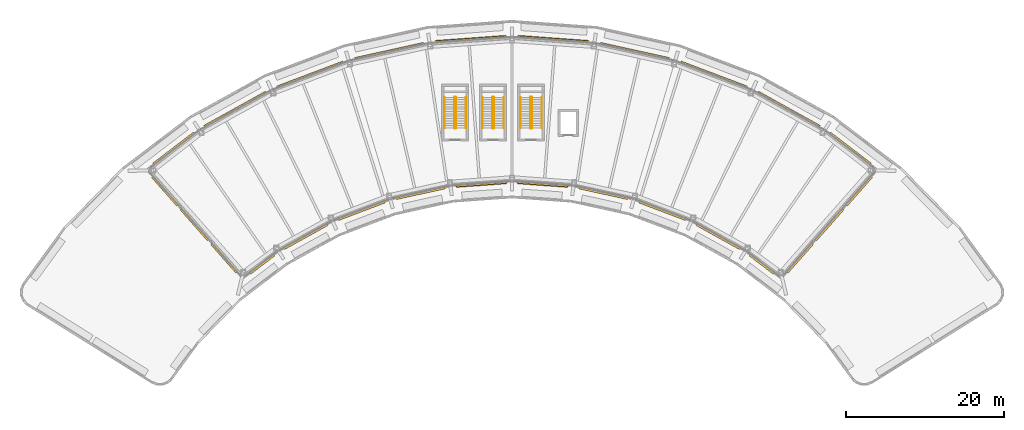
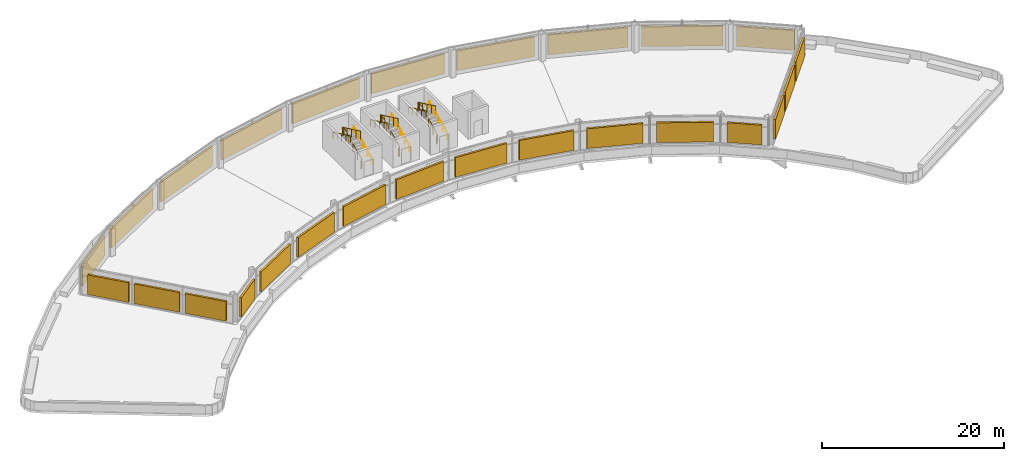
# One storey, part 16 of 17: 26 shading devices, 9 railings.
"""IFC4 building model written with IfcOpenShell, lengths in metres."""

from ifc_helpers import new_model, si_unit, direction, frame, origin, origin_2d, place, context, subcontext, project, spatial, rectangle, circle, extrude, material, type_object, element, save


model = new_model("IFC4")

# Units and contexts
model_context = context("Model", 3, precision=1e-05, world=origin(), true_north=direction((0.0, 1.0)))
body_context = subcontext(model_context, "Body", "Model", "MODEL_VIEW")
ifc_project = project(units=[si_unit("LENGTHUNIT", "METRE"), si_unit("AREAUNIT", "SQUARE_METRE"), si_unit("VOLUMEUNIT", "CUBIC_METRE"), si_unit("PLANEANGLEUNIT", "RADIAN"), si_unit("MASSUNIT", "GRAM", prefix="KILO")], contexts=[model_context])

# Site, building, storey
site_placement = place(None, origin())
site = spatial("IfcSite", under=ifc_project, at=site_placement, CompositionType="ELEMENT")
building_placement = place(site_placement, origin())
building = spatial("IfcBuilding", under=site, at=building_placement, Name="Tuul Gate Civic Tower", CompositionType="ELEMENT")
storey_placement = place(building_placement, frame((0.0, 0.0, 360.10009765625)))
storey = spatial("IfcBuildingStorey", under=building, at=storey_placement, Name="Crown tier 1 lower", CompositionType="ELEMENT", Elevation=360.10009765625)

# Shading devices
ifc_material_1 = material(Name="Aluminium louvre", Category="aluminium")
shading_device_type = type_object("IfcShadingDeviceType", Name="Louvre panel", PredefinedType="USERDEFINED", material=ifc_material_1)
shading_device_1_placement = place(storey_placement, frame((44.9931640625, -1.81201171875, 0.300048828125), z_axis=(0.0, 0.0, 1.0), x_axis=(0.605782498172, 0.795630294112, 0.0)))
element("IfcShadingDevice", 1, at=shading_device_1_placement, inside=storey, type_object=shading_device_type, Name="Louvre panel", ObjectType="LOUVRE", PredefinedType="USERDEFINED", context=body_context, shape_type="SweptSolid", body=[
    extrude(rectangle(XDim=0.25, YDim=6.449951171875, at=origin_2d()), origin(), (0.0, 0.0, 1.0), 2.64990234375),
])
for number, where, z_axis, x_axis, name in (
    (2, (37.234130859375, 3.147216796875, 0.300048828125), (0.0, 0.0, 1.0), (0.484806132848, 0.874621640227, 0.0), "Louvre panel"),
    (3, (27.7578125, 7.537353515625, 0.300048828125), (0.0, 0.0, 1.0), (0.353690785552, 0.935362404748, 0.0), "Louvre panel"),
    (4, (17.748291015625, 10.51611328125, 0.300048828125), (0.0, 0.0, 1.0), (0.215268775226, 0.976554839429, 0.0), "Louvre panel"),
    (5, (7.4140625, 12.021240234375, 0.300048828125), (0.0, 0.0, 1.0), (0.072225988978, 0.997388292751, 0.0), "Louvre panel"),
    (6, (-3.030029296875, 12.021240234375, 0.300048828125), (0.0, 0.0, 1.0), (-0.072225988978, 0.997388292751, 0.0), "Louvre panel"),
    (7, (-13.364501953125, 10.51611328125, 0.300048828125), (0.0, 0.0, 1.0), (-0.215268775226, 0.976554839429, 0.0), "Louvre panel"),
    (8, (-23.373779296875, 7.537353515625, 0.300048828125), (0.0, 0.0, 1.0), (-0.353690785552, 0.935362404748, 0.0), "Louvre panel"),
    (9, (-32.85009765625, 3.147216796875, 0.300048828125), (0.0, 0.0, 1.0), (-0.484806132848, 0.874621640227, 0.0), "Louvre panel"),
):
    element("IfcShadingDevice", number, at=place(storey_placement, frame(where, z_axis=z_axis, x_axis=x_axis)), inside=storey, type_object=shading_device_type, Name=name, ObjectType="LOUVRE", PredefinedType="USERDEFINED", context=body_context, shape_type="SweptSolid", body=[
        extrude(rectangle(XDim=0.25, YDim=8.949951171875, at=origin_2d()), origin(), (0.0, 0.0, 1.0), 2.64990234375),
    ])
shading_device_2_placement = place(storey_placement, frame((-40.609130859375, -1.81201171875, 0.300048828125), z_axis=(0.0, 0.0, 1.0), x_axis=(-0.605782498172, 0.795630294112, 0.0)))
element("IfcShadingDevice", 10, at=shading_device_2_placement, inside=storey, type_object=shading_device_type, Name="Louvre panel", ObjectType="LOUVRE", PredefinedType="USERDEFINED", context=body_context, shape_type="SweptSolid", body=[
    extrude(rectangle(XDim=0.25, YDim=6.449951171875, at=origin_2d()), origin(), (0.0, 0.0, 1.0), 2.64990234375),
])
shading_device_3_placement = place(storey_placement, frame((-41.747802734375, -7.220458984375, 0.300048828125), z_axis=(0.0, 0.0, 1.0), x_axis=(-0.749793201681, -0.661672241153, 0.0)))
element("IfcShadingDevice", 11, at=shading_device_3_placement, inside=storey, type_object=shading_device_type, Name="Louvre panel", ObjectType="LOUVRE", PredefinedType="USERDEFINED", context=body_context, shape_type="SweptSolid", body=[
    extrude(rectangle(XDim=0.25, YDim=4.800048828125, at=origin_2d()), origin(), (0.0, 0.0, 1.0), 2.64990234375),
])
shading_device_4_placement = place(storey_placement, frame((-38.004638671875, -11.462158203125, 0.300048828125), z_axis=(0.0, 0.0, 1.0), x_axis=(-0.749793201681, -0.661672241153, 0.0)))
element("IfcShadingDevice", 12, at=shading_device_4_placement, inside=storey, type_object=shading_device_type, Name="Louvre panel", ObjectType="LOUVRE", PredefinedType="USERDEFINED", context=body_context, shape_type="SweptSolid", body=[
    extrude(rectangle(XDim=0.25, YDim=5.25, at=origin_2d()), origin(), (0.0, 0.0, 1.0), 2.64990234375),
])
shading_device_5_placement = place(storey_placement, frame((-34.26171875, -15.703857421875, 0.300048828125), z_axis=(0.0, 0.0, 1.0), x_axis=(-0.749793201681, -0.661672241153, 0.0)))
element("IfcShadingDevice", 13, at=shading_device_5_placement, inside=storey, type_object=shading_device_type, Name="Louvre panel", ObjectType="LOUVRE", PredefinedType="USERDEFINED", context=body_context, shape_type="SweptSolid", body=[
    extrude(rectangle(XDim=0.25, YDim=4.800048828125, at=origin_2d()), origin(), (0.0, 0.0, 1.0), 2.64990234375),
])
shading_device_6_placement = place(storey_placement, frame((-29.44921875, -16.50439453125, 0.300048828125), z_axis=(0.0, 0.0, 1.0), x_axis=(0.605752057949, -0.79565346998, 0.0)))
element("IfcShadingDevice", 14, at=shading_device_6_placement, inside=storey, type_object=shading_device_type, Name="Louvre panel", ObjectType="LOUVRE", PredefinedType="USERDEFINED", context=body_context, shape_type="SweptSolid", body=[
    extrude(rectangle(XDim=0.25, YDim=3.85009765625, at=origin_2d()), origin(), (0.0, 0.0, 1.0), 2.64990234375),
])
for number, where, z_axis, x_axis, name in (
    (15, (-23.905517578125, -12.98974609375, 0.300048828125), (0.0, 0.0, 1.0), (0.484784498431, -0.874633631917, 0.0), "Louvre panel"),
    (16, (-16.848388671875, -9.720458984375, 0.300048828125), (0.0, 0.0, 1.0), (0.353743883051, -0.935342325143, 0.0), "Louvre panel"),
    (17, (-9.3935546875, -7.501953125, 0.300048828125), (0.0, 0.0, 1.0), (0.215196143732, -0.976570847262, 0.0), "Louvre panel"),
    (18, (-1.697021484375, -6.381103515625, 0.300048828125), (0.0, 0.0, 1.0), (0.072283482832, -0.997384127661, 0.0), "Louvre panel"),
    (19, (6.0810546875, -6.381103515625, 0.300048828125), (0.0, 0.0, 1.0), (-0.072283482832, -0.997384127661, 0.0), "Louvre panel"),
    (20, (13.777587890625, -7.501953125, 0.300048828125), (0.0, 0.0, 1.0), (-0.215196143732, -0.976570847262, 0.0), "Louvre panel"),
    (21, (21.232177734375, -9.720458984375, 0.300048828125), (0.0, 0.0, 1.0), (-0.353743883051, -0.935342325143, 0.0), "Louvre panel"),
    (22, (28.289306640625, -12.98974609375, 0.300048828125), (0.0, 0.0, 1.0), (-0.484784498431, -0.874633631917, 0.0), "Louvre panel"),
):
    element("IfcShadingDevice", number, at=place(storey_placement, frame(where, z_axis=z_axis, x_axis=x_axis)), inside=storey, type_object=shading_device_type, Name=name, ObjectType="LOUVRE", PredefinedType="USERDEFINED", context=body_context, shape_type="SweptSolid", body=[
        extrude(rectangle(XDim=0.25, YDim=6.300048828125, at=origin_2d()), origin(), (0.0, 0.0, 1.0), 2.64990234375),
    ])
shading_device_7_placement = place(storey_placement, frame((33.833251953125, -16.50439453125, 0.300048828125), z_axis=(0.0, 0.0, 1.0), x_axis=(-0.605752057949, -0.79565346998, 0.0)))
element("IfcShadingDevice", 23, at=shading_device_7_placement, inside=storey, type_object=shading_device_type, Name="Louvre panel", ObjectType="LOUVRE", PredefinedType="USERDEFINED", context=body_context, shape_type="SweptSolid", body=[
    extrude(rectangle(XDim=0.25, YDim=3.85009765625, at=origin_2d()), origin(), (0.0, 0.0, 1.0), 2.64990234375),
])
shading_device_8_placement = place(storey_placement, frame((38.6455078125, -15.703857421875, 0.300048828125), z_axis=(0.0, 0.0, 1.0), x_axis=(0.749793201681, -0.661672241153, 0.0)))
element("IfcShadingDevice", 24, at=shading_device_8_placement, inside=storey, type_object=shading_device_type, Name="Louvre panel", ObjectType="LOUVRE", PredefinedType="USERDEFINED", context=body_context, shape_type="SweptSolid", body=[
    extrude(rectangle(XDim=0.25, YDim=4.800048828125, at=origin_2d()), origin(), (0.0, 0.0, 1.0), 2.64990234375),
])
shading_device_9_placement = place(storey_placement, frame((42.388671875, -11.462158203125, 0.300048828125), z_axis=(0.0, 0.0, 1.0), x_axis=(0.749793201681, -0.661672241153, 0.0)))
element("IfcShadingDevice", 25, at=shading_device_9_placement, inside=storey, type_object=shading_device_type, Name="Louvre panel", ObjectType="LOUVRE", PredefinedType="USERDEFINED", context=body_context, shape_type="SweptSolid", body=[
    extrude(rectangle(XDim=0.25, YDim=5.25, at=origin_2d()), origin(), (0.0, 0.0, 1.0), 2.64990234375),
])
shading_device_10_placement = place(storey_placement, frame((46.1318359375, -7.220458984375, 0.300048828125), z_axis=(0.0, 0.0, 1.0), x_axis=(0.749793201681, -0.661672241153, 0.0)))
element("IfcShadingDevice", 26, at=shading_device_10_placement, inside=storey, type_object=shading_device_type, Name="Louvre panel", ObjectType="LOUVRE", PredefinedType="USERDEFINED", context=body_context, shape_type="SweptSolid", body=[
    extrude(rectangle(XDim=0.25, YDim=4.800048828125, at=origin_2d()), origin(), (0.0, 0.0, 1.0), 2.64990234375),
])

# Railings
ifc_material_2 = material(Name="Painted steel", Category="steel")
railing_type_1 = type_object("IfcRailingType", Name="Stair guard", PredefinedType="GUARDRAIL", material=ifc_material_2)
railing_1_placement = place(storey_placement, frame((-4.949951171875, 0.699951171875, 0.0)))
element("IfcRailing", 27, at=railing_1_placement, inside=storey, type_object=railing_type_1, Name="Crown tier 1 lower ST-5 stair guard 1", PredefinedType="GUARDRAIL", context=body_context, shape_type="SweptSolid", body=[
    extrude(circle(Radius=0.02392578125, at=origin_2d()), frame((0.0, 0.0, 1.076171875), z_axis=(-1.0, 0.0, 0.0), x_axis=(0.0, -1.0, 0.0)), (0.0, 0.0, 1.0), 0.10009765625),
    extrude(circle(Radius=0.02392578125, at=origin_2d()), frame((-0.10009765625, 0.0, 1.076171875), z_axis=(0.704307497325, 0.234769165775, 0.669951034041), x_axis=(-0.316227766017, 0.948683298051, 0.0)), (0.0, 0.0, 1.0), 0.213134765625),
    extrude(circle(Radius=0.02392578125, at=origin_2d()), frame((0.050048828125, 0.050048828125, 1.21875), z_axis=(0.0, 0.902853205547, 0.429948937937), x_axis=(-1.0, 0.0, 0.0)), (0.0, 0.0, 1.0), 4.319580078125),
    extrude(circle(Radius=0.02392578125, at=origin_2d()), frame((0.050048828125, 3.949951171875, 3.076171875), z_axis=(-0.707106781187, 0.707106781187, 0.0), x_axis=(-0.707106781187, -0.707106781187, 0.0)), (0.0, 0.0, 1.0), 0.07080078125),
    extrude(circle(Radius=0.02392578125, at=origin_2d()), frame((0.0, 4.0, 3.076171875), z_axis=(-1.0, 0.0, 0.0), x_axis=(0.0, -1.0, 0.0)), (0.0, 0.0, 1.0), 0.10009765625),
    extrude(circle(Radius=0.02392578125, at=origin_2d()), frame((-0.10009765625, 4.0, 3.076171875), z_axis=(-0.313985020601, -0.313985020601, 0.896006034397), x_axis=(0.707106781187, -0.707106781187, 0.0)), (0.0, 0.0, 1.0), 0.159423828125),
    extrude(circle(Radius=0.02392578125, at=origin_2d()), frame((-0.150146484375, 3.949951171875, 3.21875), z_axis=(0.0, -0.902853205547, 0.429948937937), x_axis=(1.0, 0.0, 0.0)), (0.0, 0.0, 1.0), 4.319580078125),
    extrude(circle(Radius=0.02099609375, at=origin_2d()), origin(), (0.0, 0.0, 1.0), 1.052001953125),
    extrude(circle(Radius=0.02099609375, at=origin_2d()), frame((-0.10009765625, 0.0, 0.0)), (0.0, 0.0, 1.0), 1.052001953125),
    extrude(circle(Radius=0.02099609375, at=origin_2d()), frame((0.050048828125, 0.050048828125, 0.142822265625)), (0.0, 0.0, 1.0), 1.052001953125),
    extrude(circle(Radius=0.02099609375, at=origin_2d()), frame((0.050048828125, 1.02490234375, 0.607177734375)), (0.0, 0.0, 1.0), 1.052001953125),
    extrude(circle(Radius=0.02099609375, at=origin_2d()), frame((0.050048828125, 2.0, 1.0712890625)), (0.0, 0.0, 1.0), 1.052001953125),
    extrude(circle(Radius=0.02099609375, at=origin_2d()), frame((0.050048828125, 2.97509765625, 1.53564453125)), (0.0, 0.0, 1.0), 1.052001953125),
    extrude(circle(Radius=0.02099609375, at=origin_2d()), frame((0.050048828125, 3.949951171875, 2.0)), (0.0, 0.0, 1.0), 1.052001953125),
    extrude(circle(Radius=0.02099609375, at=origin_2d()), frame((0.0, 4.0, 2.0)), (0.0, 0.0, 1.0), 1.052001953125),
    extrude(circle(Radius=0.02099609375, at=origin_2d()), frame((-0.10009765625, 4.0, 2.0)), (0.0, 0.0, 1.0), 1.052001953125),
    extrude(circle(Radius=0.02099609375, at=origin_2d()), frame((-0.150146484375, 3.949951171875, 2.142822265625)), (0.0, 0.0, 1.0), 1.052001953125),
    extrude(circle(Radius=0.02099609375, at=origin_2d()), frame((-0.150146484375, 2.97509765625, 2.607177734375)), (0.0, 0.0, 1.0), 1.052001953125),
    extrude(circle(Radius=0.02099609375, at=origin_2d()), frame((-0.150146484375, 2.0, 3.0712890625)), (0.0, 0.0, 1.0), 1.052001953125),
    extrude(circle(Radius=0.02099609375, at=origin_2d()), frame((-0.150146484375, 1.02490234375, 3.53564453125)), (0.0, 0.0, 1.0), 1.052001953125),
    extrude(circle(Radius=0.02099609375, at=origin_2d()), frame((-0.150146484375, 0.050048828125, 4.0)), (0.0, 0.0, 1.0), 1.052001953125),
])
railing_2_placement = place(storey_placement, frame((-0.14990234375, 0.699951171875, 0.0)))
element("IfcRailing", 28, at=railing_2_placement, inside=storey, type_object=railing_type_1, Name="Crown tier 1 lower ST-6 stair guard 1", PredefinedType="GUARDRAIL", context=body_context, shape_type="SweptSolid", body=[
    extrude(circle(Radius=0.02392578125, at=origin_2d()), frame((0.0, 0.0, 1.076171875), z_axis=(-1.0, 0.0, 0.0), x_axis=(0.0, -1.0, 0.0)), (0.0, 0.0, 1.0), 0.10009765625),
    extrude(circle(Radius=0.02392578125, at=origin_2d()), frame((-0.10009765625, 0.0, 1.076171875), z_axis=(0.703729666097, 0.234958601873, 0.670491619978), x_axis=(-0.316691178788, 0.948528701346, 0.0)), (0.0, 0.0, 1.0), 0.212890625),
    extrude(circle(Radius=0.02392578125, at=origin_2d()), frame((0.0498046875, 0.050048828125, 1.21875), z_axis=(0.0, 0.902853205547, 0.429948937937), x_axis=(-1.0, 0.0, 0.0)), (0.0, 0.0, 1.0), 4.319580078125),
    extrude(circle(Radius=0.02392578125, at=origin_2d()), frame((0.0498046875, 3.949951171875, 3.076171875), z_axis=(-0.705375805398, 0.708833529934, 0.0), x_axis=(-0.708833529934, -0.705375805398, 0.0)), (0.0, 0.0, 1.0), 0.070556640625),
    extrude(circle(Radius=0.02392578125, at=origin_2d()), frame((0.0, 4.0, 3.076171875), z_axis=(-1.0, 0.0, 0.0), x_axis=(0.0, -1.0, 0.0)), (0.0, 0.0, 1.0), 0.10009765625),
    extrude(circle(Radius=0.02392578125, at=origin_2d()), frame((-0.10009765625, 4.0, 3.076171875), z_axis=(-0.313985020601, -0.313985020601, 0.896006034397), x_axis=(0.707106781187, -0.707106781187, 0.0)), (0.0, 0.0, 1.0), 0.159423828125),
    extrude(circle(Radius=0.02392578125, at=origin_2d()), frame((-0.150146484375, 3.949951171875, 3.21875), z_axis=(0.0, -0.902853205547, 0.429948937937), x_axis=(1.0, 0.0, 0.0)), (0.0, 0.0, 1.0), 4.319580078125),
    extrude(circle(Radius=0.02099609375, at=origin_2d()), origin(), (0.0, 0.0, 1.0), 1.052001953125),
    extrude(circle(Radius=0.02099609375, at=origin_2d()), frame((-0.10009765625, 0.0, 0.0)), (0.0, 0.0, 1.0), 1.052001953125),
    extrude(circle(Radius=0.02099609375, at=origin_2d()), frame((0.0498046875, 0.050048828125, 0.142822265625)), (0.0, 0.0, 1.0), 1.052001953125),
    extrude(circle(Radius=0.02099609375, at=origin_2d()), frame((0.0498046875, 1.02490234375, 0.607177734375)), (0.0, 0.0, 1.0), 1.052001953125),
    extrude(circle(Radius=0.02099609375, at=origin_2d()), frame((0.0498046875, 2.0, 1.0712890625)), (0.0, 0.0, 1.0), 1.052001953125),
    extrude(circle(Radius=0.02099609375, at=origin_2d()), frame((0.0498046875, 2.97509765625, 1.53564453125)), (0.0, 0.0, 1.0), 1.052001953125),
    extrude(circle(Radius=0.02099609375, at=origin_2d()), frame((0.0498046875, 3.949951171875, 2.0)), (0.0, 0.0, 1.0), 1.052001953125),
    extrude(circle(Radius=0.02099609375, at=origin_2d()), frame((0.0, 4.0, 2.0)), (0.0, 0.0, 1.0), 1.052001953125),
    extrude(circle(Radius=0.02099609375, at=origin_2d()), frame((-0.10009765625, 4.0, 2.0)), (0.0, 0.0, 1.0), 1.052001953125),
    extrude(circle(Radius=0.02099609375, at=origin_2d()), frame((-0.150146484375, 3.949951171875, 2.142822265625)), (0.0, 0.0, 1.0), 1.052001953125),
    extrude(circle(Radius=0.02099609375, at=origin_2d()), frame((-0.150146484375, 2.97509765625, 2.607177734375)), (0.0, 0.0, 1.0), 1.052001953125),
    extrude(circle(Radius=0.02099609375, at=origin_2d()), frame((-0.150146484375, 2.0, 3.0712890625)), (0.0, 0.0, 1.0), 1.052001953125),
    extrude(circle(Radius=0.02099609375, at=origin_2d()), frame((-0.150146484375, 1.02490234375, 3.53564453125)), (0.0, 0.0, 1.0), 1.052001953125),
    extrude(circle(Radius=0.02099609375, at=origin_2d()), frame((-0.150146484375, 0.050048828125, 4.0)), (0.0, 0.0, 1.0), 1.052001953125),
])
railing_3_placement = place(storey_placement, frame((4.64990234375, 0.699951171875, 0.0)))
element("IfcRailing", 29, at=railing_3_placement, inside=storey, type_object=railing_type_1, Name="Crown tier 1 lower ST-7 stair guard 1", PredefinedType="GUARDRAIL", context=body_context, shape_type="SweptSolid", body=[
    extrude(circle(Radius=0.02392578125, at=origin_2d()), frame((0.0, 0.0, 1.076171875), z_axis=(-1.0, 0.0, 0.0), x_axis=(0.0, -1.0, 0.0)), (0.0, 0.0, 1.0), 0.099853515625),
    extrude(circle(Radius=0.02392578125, at=origin_2d()), frame((-0.099853515625, 0.0, 1.076171875), z_axis=(0.703729666097, 0.234958601873, 0.670491619978), x_axis=(-0.316691178788, 0.948528701346, 0.0)), (0.0, 0.0, 1.0), 0.212890625),
    extrude(circle(Radius=0.02392578125, at=origin_2d()), frame((0.050048828125, 0.050048828125, 1.21875), z_axis=(0.0, 0.902853205547, 0.429948937937), x_axis=(-1.0, 0.0, 0.0)), (0.0, 0.0, 1.0), 4.319580078125),
    extrude(circle(Radius=0.02392578125, at=origin_2d()), frame((0.050048828125, 3.949951171875, 3.076171875), z_axis=(-0.707106781187, 0.707106781187, 0.0), x_axis=(-0.707106781187, -0.707106781187, 0.0)), (0.0, 0.0, 1.0), 0.07080078125),
    extrude(circle(Radius=0.02392578125, at=origin_2d()), frame((0.0, 4.0, 3.076171875), z_axis=(-1.0, 0.0, 0.0), x_axis=(0.0, -1.0, 0.0)), (0.0, 0.0, 1.0), 0.099853515625),
    extrude(circle(Radius=0.02392578125, at=origin_2d()), frame((-0.099853515625, 4.0, 3.076171875), z_axis=(-0.313985020601, -0.313985020601, 0.896006034397), x_axis=(0.707106781187, -0.707106781187, 0.0)), (0.0, 0.0, 1.0), 0.159423828125),
    extrude(circle(Radius=0.02392578125, at=origin_2d()), frame((-0.14990234375, 3.949951171875, 3.21875), z_axis=(0.0, -0.902853205547, 0.429948937937), x_axis=(1.0, 0.0, 0.0)), (0.0, 0.0, 1.0), 4.319580078125),
    extrude(circle(Radius=0.02099609375, at=origin_2d()), origin(), (0.0, 0.0, 1.0), 1.052001953125),
    extrude(circle(Radius=0.02099609375, at=origin_2d()), frame((-0.099853515625, 0.0, 0.0)), (0.0, 0.0, 1.0), 1.052001953125),
    extrude(circle(Radius=0.02099609375, at=origin_2d()), frame((0.050048828125, 0.050048828125, 0.142822265625)), (0.0, 0.0, 1.0), 1.052001953125),
    extrude(circle(Radius=0.02099609375, at=origin_2d()), frame((0.050048828125, 1.02490234375, 0.607177734375)), (0.0, 0.0, 1.0), 1.052001953125),
    extrude(circle(Radius=0.02099609375, at=origin_2d()), frame((0.050048828125, 2.0, 1.0712890625)), (0.0, 0.0, 1.0), 1.052001953125),
    extrude(circle(Radius=0.02099609375, at=origin_2d()), frame((0.050048828125, 2.97509765625, 1.53564453125)), (0.0, 0.0, 1.0), 1.052001953125),
    extrude(circle(Radius=0.02099609375, at=origin_2d()), frame((0.050048828125, 3.949951171875, 2.0)), (0.0, 0.0, 1.0), 1.052001953125),
    extrude(circle(Radius=0.02099609375, at=origin_2d()), frame((0.0, 4.0, 2.0)), (0.0, 0.0, 1.0), 1.052001953125),
    extrude(circle(Radius=0.02099609375, at=origin_2d()), frame((-0.099853515625, 4.0, 2.0)), (0.0, 0.0, 1.0), 1.052001953125),
    extrude(circle(Radius=0.02099609375, at=origin_2d()), frame((-0.14990234375, 3.949951171875, 2.142822265625)), (0.0, 0.0, 1.0), 1.052001953125),
    extrude(circle(Radius=0.02099609375, at=origin_2d()), frame((-0.14990234375, 2.97509765625, 2.607177734375)), (0.0, 0.0, 1.0), 1.052001953125),
    extrude(circle(Radius=0.02099609375, at=origin_2d()), frame((-0.14990234375, 2.0, 3.0712890625)), (0.0, 0.0, 1.0), 1.052001953125),
    extrude(circle(Radius=0.02099609375, at=origin_2d()), frame((-0.14990234375, 1.02490234375, 3.53564453125)), (0.0, 0.0, 1.0), 1.052001953125),
    extrude(circle(Radius=0.02099609375, at=origin_2d()), frame((-0.14990234375, 0.050048828125, 4.0)), (0.0, 0.0, 1.0), 1.052001953125),
])
ifc_material_3 = material(Name="Painted steel", Category="steel")
railing_type_2 = type_object("IfcRailingType", Name="Stair handrail", PredefinedType="HANDRAIL", material=ifc_material_3)
railing_4_placement = place(storey_placement, frame((-3.64990234375, 0.75, 0.142822265625)))
element("IfcRailing", 30, at=railing_4_placement, inside=storey, type_object=railing_type_2, Name="Crown tier 1 lower ST-5 stair handrail 1", PredefinedType="HANDRAIL", context=body_context, shape_type="SweptSolid", body=[
    extrude(circle(Radius=0.02392578125, at=origin_2d()), frame((0.0, 0.0, 0.8759765625), z_axis=(0.0, 0.902853205547, 0.429948937937), x_axis=(-1.0, 0.0, 0.0)), (0.0, 0.0, 1.0), 4.319580078125),
    extrude(circle(Radius=0.02099609375, at=origin_2d()), origin(), (0.0, 0.0, 1.0), 0.851806640625),
    extrude(circle(Radius=0.02099609375, at=origin_2d()), frame((0.0, 0.97509765625, 0.46435546875)), (0.0, 0.0, 1.0), 0.851806640625),
    extrude(circle(Radius=0.02099609375, at=origin_2d()), frame((0.0, 1.949951171875, 0.9287109375)), (0.0, 0.0, 1.0), 0.851806640625),
    extrude(circle(Radius=0.02099609375, at=origin_2d()), frame((0.0, 2.9248046875, 1.392822265625)), (0.0, 0.0, 1.0), 0.851806640625),
    extrude(circle(Radius=0.02099609375, at=origin_2d()), frame((0.0, 3.89990234375, 1.857177734375)), (0.0, 0.0, 1.0), 0.851806640625),
])
railing_5_placement = place(storey_placement, frame((-6.35009765625, 4.64990234375, 2.142822265625)))
element("IfcRailing", 31, at=railing_5_placement, inside=storey, type_object=railing_type_2, Name="Crown tier 1 lower ST-5 stair handrail 2", PredefinedType="HANDRAIL", context=body_context, shape_type="SweptSolid", body=[
    extrude(circle(Radius=0.02392578125, at=origin_2d()), frame((0.0, 0.0, 0.8759765625), z_axis=(0.0, -0.902853205547, 0.429948937937), x_axis=(1.0, 0.0, 0.0)), (0.0, 0.0, 1.0), 4.319580078125),
    extrude(circle(Radius=0.02099609375, at=origin_2d()), origin(), (0.0, 0.0, 1.0), 0.851806640625),
    extrude(circle(Radius=0.02099609375, at=origin_2d()), frame((0.0, -0.97509765625, 0.46435546875)), (0.0, 0.0, 1.0), 0.851806640625),
    extrude(circle(Radius=0.02099609375, at=origin_2d()), frame((0.0, -1.949951171875, 0.9287109375)), (0.0, 0.0, 1.0), 0.851806640625),
    extrude(circle(Radius=0.02099609375, at=origin_2d()), frame((0.0, -2.9248046875, 1.392822265625)), (0.0, 0.0, 1.0), 0.851806640625),
    extrude(circle(Radius=0.02099609375, at=origin_2d()), frame((0.0, -3.89990234375, 1.857177734375)), (0.0, 0.0, 1.0), 0.851806640625),
])
railing_6_placement = place(storey_placement, frame((1.14990234375, 0.75, 0.142822265625)))
element("IfcRailing", 32, at=railing_6_placement, inside=storey, type_object=railing_type_2, Name="Crown tier 1 lower ST-6 stair handrail 1", PredefinedType="HANDRAIL", context=body_context, shape_type="SweptSolid", body=[
    extrude(circle(Radius=0.02392578125, at=origin_2d()), frame((0.0, 0.0, 0.8759765625), z_axis=(0.0, 0.902853205547, 0.429948937937), x_axis=(-1.0, 0.0, 0.0)), (0.0, 0.0, 1.0), 4.319580078125),
    extrude(circle(Radius=0.02099609375, at=origin_2d()), origin(), (0.0, 0.0, 1.0), 0.851806640625),
    extrude(circle(Radius=0.02099609375, at=origin_2d()), frame((0.0, 0.97509765625, 0.46435546875)), (0.0, 0.0, 1.0), 0.851806640625),
    extrude(circle(Radius=0.02099609375, at=origin_2d()), frame((0.0, 1.949951171875, 0.9287109375)), (0.0, 0.0, 1.0), 0.851806640625),
    extrude(circle(Radius=0.02099609375, at=origin_2d()), frame((0.0, 2.9248046875, 1.392822265625)), (0.0, 0.0, 1.0), 0.851806640625),
    extrude(circle(Radius=0.02099609375, at=origin_2d()), frame((0.0, 3.89990234375, 1.857177734375)), (0.0, 0.0, 1.0), 0.851806640625),
])
railing_7_placement = place(storey_placement, frame((-1.550048828125, 4.64990234375, 2.142822265625)))
element("IfcRailing", 33, at=railing_7_placement, inside=storey, type_object=railing_type_2, Name="Crown tier 1 lower ST-6 stair handrail 2", PredefinedType="HANDRAIL", context=body_context, shape_type="SweptSolid", body=[
    extrude(circle(Radius=0.02392578125, at=origin_2d()), frame((0.0, 0.0, 0.8759765625), z_axis=(0.0, -0.902853205547, 0.429948937937), x_axis=(1.0, 0.0, 0.0)), (0.0, 0.0, 1.0), 4.319580078125),
    extrude(circle(Radius=0.02099609375, at=origin_2d()), origin(), (0.0, 0.0, 1.0), 0.851806640625),
    extrude(circle(Radius=0.02099609375, at=origin_2d()), frame((0.0, -0.97509765625, 0.46435546875)), (0.0, 0.0, 1.0), 0.851806640625),
    extrude(circle(Radius=0.02099609375, at=origin_2d()), frame((0.0, -1.949951171875, 0.9287109375)), (0.0, 0.0, 1.0), 0.851806640625),
    extrude(circle(Radius=0.02099609375, at=origin_2d()), frame((0.0, -2.9248046875, 1.392822265625)), (0.0, 0.0, 1.0), 0.851806640625),
    extrude(circle(Radius=0.02099609375, at=origin_2d()), frame((0.0, -3.89990234375, 1.857177734375)), (0.0, 0.0, 1.0), 0.851806640625),
])
railing_8_placement = place(storey_placement, frame((5.949951171875, 0.75, 0.142822265625)))
element("IfcRailing", 34, at=railing_8_placement, inside=storey, type_object=railing_type_2, Name="Crown tier 1 lower ST-7 stair handrail 1", PredefinedType="HANDRAIL", context=body_context, shape_type="SweptSolid", body=[
    extrude(circle(Radius=0.02392578125, at=origin_2d()), frame((0.0, 0.0, 0.8759765625), z_axis=(0.0, 0.902853205547, 0.429948937937), x_axis=(-1.0, 0.0, 0.0)), (0.0, 0.0, 1.0), 4.319580078125),
    extrude(circle(Radius=0.02099609375, at=origin_2d()), origin(), (0.0, 0.0, 1.0), 0.851806640625),
    extrude(circle(Radius=0.02099609375, at=origin_2d()), frame((0.0, 0.97509765625, 0.46435546875)), (0.0, 0.0, 1.0), 0.851806640625),
    extrude(circle(Radius=0.02099609375, at=origin_2d()), frame((0.0, 1.949951171875, 0.9287109375)), (0.0, 0.0, 1.0), 0.851806640625),
    extrude(circle(Radius=0.02099609375, at=origin_2d()), frame((0.0, 2.9248046875, 1.392822265625)), (0.0, 0.0, 1.0), 0.851806640625),
    extrude(circle(Radius=0.02099609375, at=origin_2d()), frame((0.0, 3.89990234375, 1.857177734375)), (0.0, 0.0, 1.0), 0.851806640625),
])
railing_9_placement = place(storey_placement, frame((3.25, 4.64990234375, 2.142822265625)))
element("IfcRailing", 35, at=railing_9_placement, inside=storey, type_object=railing_type_2, Name="Crown tier 1 lower ST-7 stair handrail 2", PredefinedType="HANDRAIL", context=body_context, shape_type="SweptSolid", body=[
    extrude(circle(Radius=0.02392578125, at=origin_2d()), frame((0.0, 0.0, 0.8759765625), z_axis=(0.0, -0.902853205547, 0.429948937937), x_axis=(1.0, 0.0, 0.0)), (0.0, 0.0, 1.0), 4.319580078125),
    extrude(circle(Radius=0.02099609375, at=origin_2d()), origin(), (0.0, 0.0, 1.0), 0.851806640625),
    extrude(circle(Radius=0.02099609375, at=origin_2d()), frame((0.0, -0.97509765625, 0.46435546875)), (0.0, 0.0, 1.0), 0.851806640625),
    extrude(circle(Radius=0.02099609375, at=origin_2d()), frame((0.0, -1.949951171875, 0.9287109375)), (0.0, 0.0, 1.0), 0.851806640625),
    extrude(circle(Radius=0.02099609375, at=origin_2d()), frame((0.0, -2.9248046875, 1.392822265625)), (0.0, 0.0, 1.0), 0.851806640625),
    extrude(circle(Radius=0.02099609375, at=origin_2d()), frame((0.0, -3.89990234375, 1.857177734375)), (0.0, 0.0, 1.0), 0.851806640625),
])

save(model, "model.ifc")
